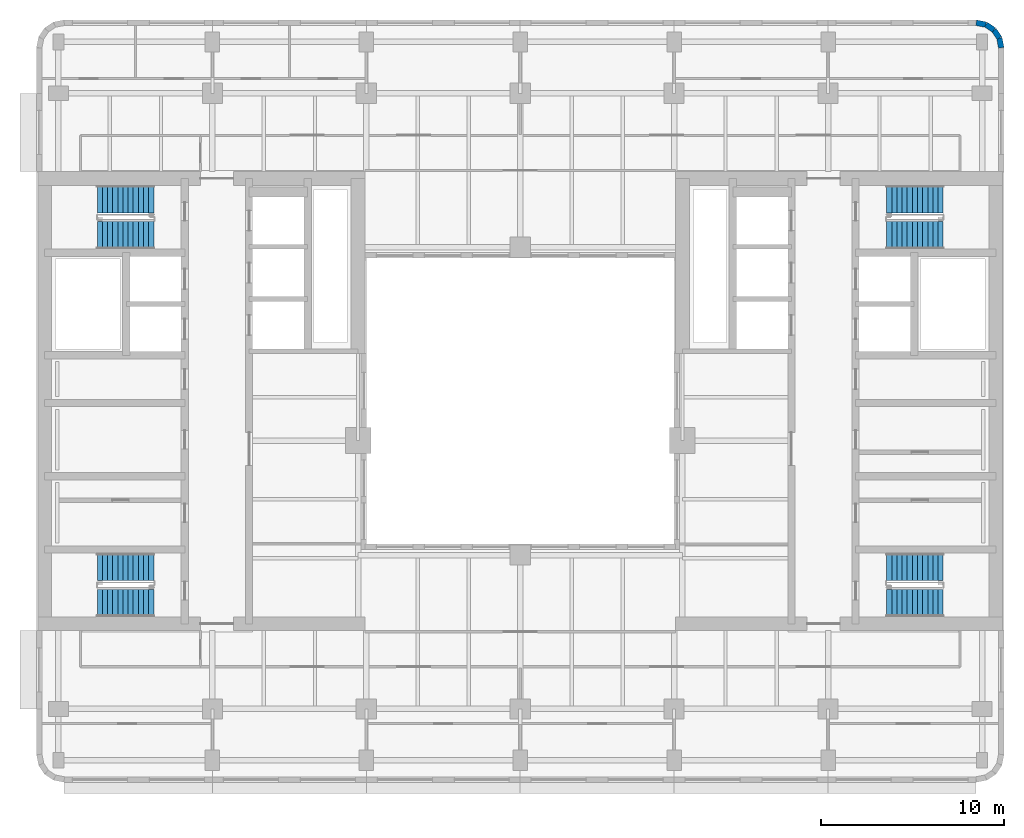
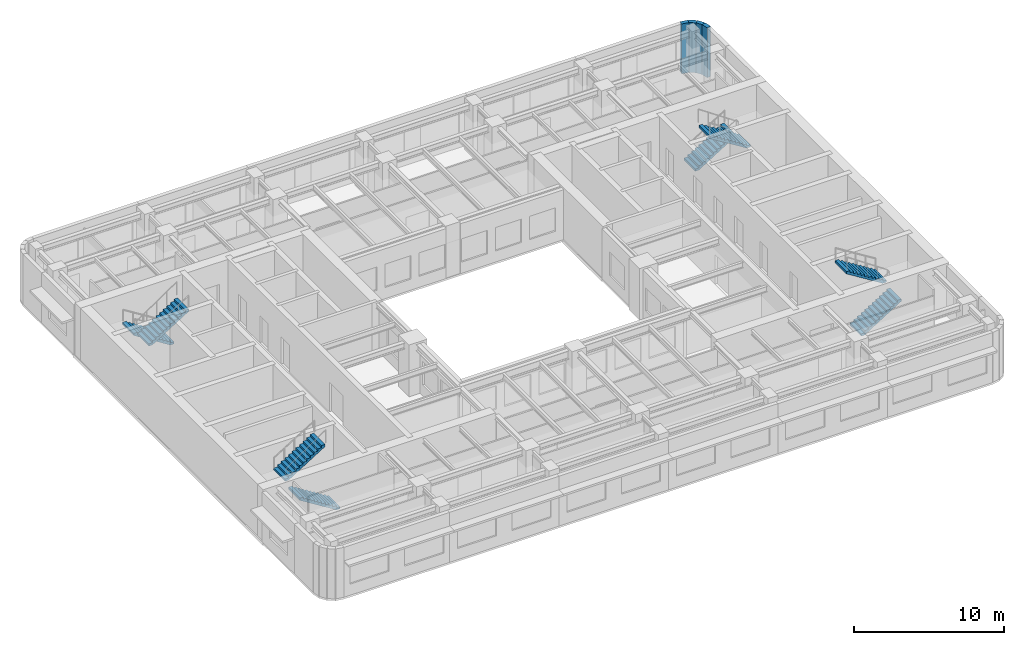
# One storey, part 8 of 11: 8 stair flights, 4 walls, 4 elements without a shape of their own.
"""IFC4 building model written with IfcOpenShell, lengths in metres."""

from ifc_helpers import new_model, si_unit, direction, frame, frame_2d, origin, place, context, subcontext, project, spatial, polyline, rectangle, outline, extrude, material, layer, layer_set, type_object, element, aggregate, save


model = new_model("IFC4")

# Units and contexts
model_context = context("Model", 3, precision=1e-05, world=origin(), true_north=direction((0.0, 1.0)))
body_context = subcontext(model_context, "Body", "Model", "MODEL_VIEW")
ifc_project = project(units=[si_unit("LENGTHUNIT", "METRE"), si_unit("AREAUNIT", "SQUARE_METRE"), si_unit("VOLUMEUNIT", "CUBIC_METRE"), si_unit("PLANEANGLEUNIT", "RADIAN"), si_unit("MASSUNIT", "GRAM", prefix="KILO")], contexts=[model_context])

# Site, building, storey
site_placement = place(None, origin())
site = spatial("IfcSite", under=ifc_project, at=site_placement, CompositionType="ELEMENT")
building_placement = place(site_placement, origin())
building = spatial("IfcBuilding", under=site, at=building_placement, Name="Claustro Exchange Tower", CompositionType="ELEMENT")
storey_placement = place(building_placement, frame((0.0, 0.0, 194.39990234375)))
storey = spatial("IfcBuildingStorey", under=building, at=storey_placement, Name="L44", CompositionType="ELEMENT", Elevation=194.39990234375)

# Walls
ifc_material_1 = material(Name="Concrete HA-40 (C40/50), precast, white cement, acid-etched", Category="concrete")
ifc_layer = layer(ifc_material_1, 0.300048828125)
ifc_layer_set = layer_set([ifc_layer], Name="Concrete HA-40 (C40/50), precast, white cement, acid-etched")
wall_type = type_object("IfcWallType", Name="PC1 300 precast concrete pier panel", PredefinedType="SOLIDWALL", material=ifc_layer_set)
wall_1_placement = place(storey_placement, frame((50.085205078125, 45.85009765625, 0.0), z_axis=(0.0, 0.0, 1.0), x_axis=(0.980702050465, -0.1955082817, 0.0)))
element("IfcWall", 1, at=wall_1_placement, inside=storey, type_object=wall_type, Name="Precast pier panel PC1 L44", PredefinedType="SOLIDWALL", context=body_context, shape_type="SweptSolid", body=[
    extrude(rectangle(XDim=0.540771484375, YDim=0.300048828125, at=frame_2d((0.2705078125, 0.0))), origin(), (0.0, 0.0, 1.0), 4.050048828125),
])
wall_2_placement = place(storey_placement, frame((50.615478515625, 45.744384765625, 0.0), z_axis=(0.0, 0.0, 1.0), x_axis=(0.831692711774, -0.555236195849, 0.0)))
element("IfcWall", 2, at=wall_2_placement, inside=storey, type_object=wall_type, Name="Precast pier panel PC1 L44", PredefinedType="SOLIDWALL", context=body_context, shape_type="SweptSolid", body=[
    extrude(rectangle(XDim=0.525390625, YDim=0.300048828125, at=frame_2d((0.2626953125, 0.0))), origin(), (0.0, 0.0, 1.0), 4.050048828125),
])
wall_3_placement = place(storey_placement, frame((51.052490234375, 45.45263671875, 0.0), z_axis=(0.0, 0.0, 1.0), x_axis=(0.55534295404, -0.831621430339, 0.0)))
element("IfcWall", 3, at=wall_3_placement, inside=storey, type_object=wall_type, Name="Precast pier panel PC1 L44", PredefinedType="SOLIDWALL", context=body_context, shape_type="SweptSolid", body=[
    extrude(rectangle(XDim=0.52587890625, YDim=0.300048828125, at=frame_2d((0.262939453125, 0.0))), origin(), (0.0, 0.0, 1.0), 4.050048828125),
])
wall_4_placement = place(storey_placement, frame((51.344482421875, 45.015380859375, 0.0), z_axis=(0.0, 0.0, 1.0), x_axis=(0.195073962632, -0.980788534345, 0.0)))
element("IfcWall", 4, at=wall_4_placement, inside=storey, type_object=wall_type, Name="Precast pier panel PC1 L44", PredefinedType="SOLIDWALL", context=body_context, shape_type="SweptSolid", body=[
    extrude(rectangle(XDim=0.540771484375, YDim=0.300048828125, at=frame_2d((0.2705078125, 0.0))), origin(), (0.0, 0.0, 1.0), 4.050048828125),
])

# Stair, stair flights
ifc_material_2 = material(Name="Concrete HA-30 (C30/37), precast", Category="concrete")
stair_type = type_object("IfcStairType", Name="ST1 half-turn stair, 24 risers of 175", PredefinedType="HALF_TURN_STAIR", material=ifc_material_2)
stair_1_placement = place(storey_placement, origin())
stair_1 = element("IfcStair", 5, at=stair_1_placement, inside=storey, type_object=stair_type, Name="Stair STWA L44", PredefinedType="HALF_TURN_STAIR")
ifc_material_3 = material(Name="Concrete HA-30 (C30/37), precast", Category="concrete")
stair_flight_type = type_object("IfcStairFlightType", Name="SF12A straight flight, 12 risers of 175, 1500 wide", PredefinedType="STRAIGHT", material=ifc_material_3)
stair_flight_1_placement = place(storey_placement, frame((5.199951171875, 14.175048828125, 0.0), z_axis=(0.0, 0.0, 1.0), x_axis=(-1.0, 0.0, 0.0)))
stair_flight_1 = element("IfcStairFlight", 6, at=stair_flight_1_placement, type_object=stair_flight_type, Name="STWA flight 1", NumberOfRisers=12, NumberOfTreads=11, PredefinedType="STRAIGHT", RiserHeight=0.175, TreadLength=0.28, context=body_context, shape_type="SweptSolid", body=[
    extrude(outline(polyline([(0.0, 0.0), (0.0, 0.175048828125), (0.280029296875, 0.175048828125), (0.280029296875, 0.35009765625), (0.56005859375, 0.35009765625), (0.56005859375, 0.52490234375), (0.840087890625, 0.52490234375), (0.840087890625, 0.699951171875), (1.1201171875, 0.699951171875), (1.1201171875, 0.875), (1.39990234375, 0.875), (1.39990234375, 1.050048828125), (1.679931640625, 1.050048828125), (1.679931640625, 1.22509765625), (1.9599609375, 1.22509765625), (1.9599609375, 1.39990234375), (2.239990234375, 1.39990234375), (2.239990234375, 1.574951171875), (2.52001953125, 1.574951171875), (2.52001953125, 1.75), (2.800048828125, 1.75), (2.800048828125, 1.925048828125), (3.080078125, 1.925048828125), (3.080078125, 2.10009765625), (3.080078125, 1.748291015625), (0.28271484375, 0.0), (0.0, 0.0)])), frame((0.0, 0.75, 0.0), z_axis=(0.0, -1.0, 0.0), x_axis=(1.0, 0.0, 0.0)), (0.0, 0.0, 1.0), 1.5),
])
stair_flight_2_placement = place(storey_placement, frame((2.1201171875, 16.14990234375, 2.10009765625), z_axis=(0.0, 0.0, 1.0), x_axis=(1.0, 0.0, 0.0)))
stair_flight_2 = element("IfcStairFlight", 7, at=stair_flight_2_placement, type_object=stair_flight_type, Name="STWA flight 2", NumberOfRisers=12, NumberOfTreads=11, PredefinedType="STRAIGHT", RiserHeight=0.175, TreadLength=0.28, context=body_context, shape_type="SweptSolid", body=[
    extrude(outline(polyline([(0.0, 0.0), (0.0, 0.175048828125), (0.280029296875, 0.175048828125), (0.280029296875, 0.35009765625), (0.56005859375, 0.35009765625), (0.56005859375, 0.52490234375), (0.840087890625, 0.52490234375), (0.840087890625, 0.699951171875), (1.1201171875, 0.699951171875), (1.1201171875, 0.875), (1.39990234375, 0.875), (1.39990234375, 1.050048828125), (1.679931640625, 1.050048828125), (1.679931640625, 1.22509765625), (1.9599609375, 1.22509765625), (1.9599609375, 1.39990234375), (2.239990234375, 1.39990234375), (2.239990234375, 1.574951171875), (2.52001953125, 1.574951171875), (2.52001953125, 1.75), (2.800048828125, 1.75), (2.800048828125, 1.925048828125), (3.080078125, 1.925048828125), (3.080078125, 2.10009765625), (3.080078125, 1.748291015625), (0.28271484375, 0.0), (0.0, 0.0)])), frame((0.0, 0.75, 0.0), z_axis=(0.0, -1.0, 0.0), x_axis=(1.0, 0.0, 0.0)), (0.0, 0.0, 1.0), 1.5),
])
aggregate(stair_1, [stair_flight_1, stair_flight_2])

stair_2_placement = place(storey_placement, origin())
stair_2 = element("IfcStair", 8, at=stair_2_placement, inside=storey, type_object=stair_type, Name="Stair STWB L44", PredefinedType="HALF_TURN_STAIR")
stair_flight_3_placement = place(storey_placement, frame((5.199951171875, 36.22509765625, 0.0), z_axis=(0.0, 0.0, 1.0), x_axis=(-1.0, 0.0, 0.0)))
stair_flight_3 = element("IfcStairFlight", 9, at=stair_flight_3_placement, type_object=stair_flight_type, Name="STWB flight 1", NumberOfRisers=12, NumberOfTreads=11, PredefinedType="STRAIGHT", RiserHeight=0.175, TreadLength=0.28, context=body_context, shape_type="SweptSolid", body=[
    extrude(outline(polyline([(0.0, 0.0), (0.0, 0.175048828125), (0.280029296875, 0.175048828125), (0.280029296875, 0.35009765625), (0.56005859375, 0.35009765625), (0.56005859375, 0.52490234375), (0.840087890625, 0.52490234375), (0.840087890625, 0.699951171875), (1.1201171875, 0.699951171875), (1.1201171875, 0.875), (1.39990234375, 0.875), (1.39990234375, 1.050048828125), (1.679931640625, 1.050048828125), (1.679931640625, 1.22509765625), (1.9599609375, 1.22509765625), (1.9599609375, 1.39990234375), (2.239990234375, 1.39990234375), (2.239990234375, 1.574951171875), (2.52001953125, 1.574951171875), (2.52001953125, 1.75), (2.800048828125, 1.75), (2.800048828125, 1.925048828125), (3.080078125, 1.925048828125), (3.080078125, 2.10009765625), (3.080078125, 1.748291015625), (0.28271484375, 0.0), (0.0, 0.0)])), frame((0.0, 0.75, 0.0), z_axis=(0.0, -1.0, 0.0), x_axis=(1.0, 0.0, 0.0)), (0.0, 0.0, 1.0), 1.5),
])
stair_flight_4_placement = place(storey_placement, frame((2.1201171875, 34.25, 2.10009765625), z_axis=(0.0, 0.0, 1.0), x_axis=(1.0, 0.0, 0.0)))
stair_flight_4 = element("IfcStairFlight", 10, at=stair_flight_4_placement, type_object=stair_flight_type, Name="STWB flight 2", NumberOfRisers=12, NumberOfTreads=11, PredefinedType="STRAIGHT", RiserHeight=0.175, TreadLength=0.28, context=body_context, shape_type="SweptSolid", body=[
    extrude(outline(polyline([(0.0, 0.0), (0.0, 0.175048828125), (0.280029296875, 0.175048828125), (0.280029296875, 0.35009765625), (0.56005859375, 0.35009765625), (0.56005859375, 0.52490234375), (0.840087890625, 0.52490234375), (0.840087890625, 0.699951171875), (1.1201171875, 0.699951171875), (1.1201171875, 0.875), (1.39990234375, 0.875), (1.39990234375, 1.050048828125), (1.679931640625, 1.050048828125), (1.679931640625, 1.22509765625), (1.9599609375, 1.22509765625), (1.9599609375, 1.39990234375), (2.239990234375, 1.39990234375), (2.239990234375, 1.574951171875), (2.52001953125, 1.574951171875), (2.52001953125, 1.75), (2.800048828125, 1.75), (2.800048828125, 1.925048828125), (3.080078125, 1.925048828125), (3.080078125, 2.10009765625), (3.080078125, 1.748291015625), (0.28271484375, 0.0), (0.0, 0.0)])), frame((0.0, 0.75, 0.0), z_axis=(0.0, -1.0, 0.0), x_axis=(1.0, 0.0, 0.0)), (0.0, 0.0, 1.0), 1.5),
])
aggregate(stair_2, [stair_flight_3, stair_flight_4])

stair_3_placement = place(storey_placement, origin())
stair_3 = element("IfcStair", 11, at=stair_3_placement, inside=storey, type_object=stair_type, Name="Stair STEA L44", PredefinedType="HALF_TURN_STAIR")
stair_flight_5_placement = place(storey_placement, frame((45.199951171875, 14.175048828125, 0.0), z_axis=(0.0, 0.0, 1.0), x_axis=(1.0, 0.0, 0.0)))
stair_flight_5 = element("IfcStairFlight", 12, at=stair_flight_5_placement, type_object=stair_flight_type, Name="STEA flight 1", NumberOfRisers=12, NumberOfTreads=11, PredefinedType="STRAIGHT", RiserHeight=0.175, TreadLength=0.28, context=body_context, shape_type="SweptSolid", body=[
    extrude(outline(polyline([(0.0, 0.0), (0.0, 0.175048828125), (0.280029296875, 0.175048828125), (0.280029296875, 0.35009765625), (0.56005859375, 0.35009765625), (0.56005859375, 0.52490234375), (0.840087890625, 0.52490234375), (0.840087890625, 0.699951171875), (1.1201171875, 0.699951171875), (1.1201171875, 0.875), (1.39990234375, 0.875), (1.39990234375, 1.050048828125), (1.679931640625, 1.050048828125), (1.679931640625, 1.22509765625), (1.9599609375, 1.22509765625), (1.9599609375, 1.39990234375), (2.239990234375, 1.39990234375), (2.239990234375, 1.574951171875), (2.52001953125, 1.574951171875), (2.52001953125, 1.75), (2.800048828125, 1.75), (2.800048828125, 1.925048828125), (3.080078125, 1.925048828125), (3.080078125, 2.10009765625), (3.080078125, 1.748291015625), (0.28271484375, 0.0), (0.0, 0.0)])), frame((0.0, 0.75, 0.0), z_axis=(0.0, -1.0, 0.0), x_axis=(1.0, 0.0, 0.0)), (0.0, 0.0, 1.0), 1.5),
])
stair_flight_6_placement = place(storey_placement, frame((48.280029296875, 16.14990234375, 2.10009765625), z_axis=(0.0, 0.0, 1.0), x_axis=(-1.0, 0.0, 0.0)))
stair_flight_6 = element("IfcStairFlight", 13, at=stair_flight_6_placement, type_object=stair_flight_type, Name="STEA flight 2", NumberOfRisers=12, NumberOfTreads=11, PredefinedType="STRAIGHT", RiserHeight=0.175, TreadLength=0.28, context=body_context, shape_type="SweptSolid", body=[
    extrude(outline(polyline([(0.0, 0.0), (0.0, 0.175048828125), (0.280029296875, 0.175048828125), (0.280029296875, 0.35009765625), (0.56005859375, 0.35009765625), (0.56005859375, 0.52490234375), (0.840087890625, 0.52490234375), (0.840087890625, 0.699951171875), (1.1201171875, 0.699951171875), (1.1201171875, 0.875), (1.39990234375, 0.875), (1.39990234375, 1.050048828125), (1.679931640625, 1.050048828125), (1.679931640625, 1.22509765625), (1.9599609375, 1.22509765625), (1.9599609375, 1.39990234375), (2.239990234375, 1.39990234375), (2.239990234375, 1.574951171875), (2.52001953125, 1.574951171875), (2.52001953125, 1.75), (2.800048828125, 1.75), (2.800048828125, 1.925048828125), (3.080078125, 1.925048828125), (3.080078125, 2.10009765625), (3.080078125, 1.748291015625), (0.28271484375, 0.0), (0.0, 0.0)])), frame((0.0, 0.75, 0.0), z_axis=(0.0, -1.0, 0.0), x_axis=(1.0, 0.0, 0.0)), (0.0, 0.0, 1.0), 1.5),
])
aggregate(stair_3, [stair_flight_5, stair_flight_6])

stair_4_placement = place(storey_placement, origin())
stair_4 = element("IfcStair", 14, at=stair_4_placement, inside=storey, type_object=stair_type, Name="Stair STEB L44", PredefinedType="HALF_TURN_STAIR")
stair_flight_7_placement = place(storey_placement, frame((45.199951171875, 36.22509765625, 0.0), z_axis=(0.0, 0.0, 1.0), x_axis=(1.0, 0.0, 0.0)))
stair_flight_7 = element("IfcStairFlight", 15, at=stair_flight_7_placement, type_object=stair_flight_type, Name="STEB flight 1", NumberOfRisers=12, NumberOfTreads=11, PredefinedType="STRAIGHT", RiserHeight=0.175, TreadLength=0.28, context=body_context, shape_type="SweptSolid", body=[
    extrude(outline(polyline([(0.0, 0.0), (0.0, 0.175048828125), (0.280029296875, 0.175048828125), (0.280029296875, 0.35009765625), (0.56005859375, 0.35009765625), (0.56005859375, 0.52490234375), (0.840087890625, 0.52490234375), (0.840087890625, 0.699951171875), (1.1201171875, 0.699951171875), (1.1201171875, 0.875), (1.39990234375, 0.875), (1.39990234375, 1.050048828125), (1.679931640625, 1.050048828125), (1.679931640625, 1.22509765625), (1.9599609375, 1.22509765625), (1.9599609375, 1.39990234375), (2.239990234375, 1.39990234375), (2.239990234375, 1.574951171875), (2.52001953125, 1.574951171875), (2.52001953125, 1.75), (2.800048828125, 1.75), (2.800048828125, 1.925048828125), (3.080078125, 1.925048828125), (3.080078125, 2.10009765625), (3.080078125, 1.748291015625), (0.28271484375, 0.0), (0.0, 0.0)])), frame((0.0, 0.75, 0.0), z_axis=(0.0, -1.0, 0.0), x_axis=(1.0, 0.0, 0.0)), (0.0, 0.0, 1.0), 1.5),
])
stair_flight_8_placement = place(storey_placement, frame((48.280029296875, 34.25, 2.10009765625), z_axis=(0.0, 0.0, 1.0), x_axis=(-1.0, 0.0, 0.0)))
stair_flight_8 = element("IfcStairFlight", 16, at=stair_flight_8_placement, type_object=stair_flight_type, Name="STEB flight 2", NumberOfRisers=12, NumberOfTreads=11, PredefinedType="STRAIGHT", RiserHeight=0.175, TreadLength=0.28, context=body_context, shape_type="SweptSolid", body=[
    extrude(outline(polyline([(0.0, 0.0), (0.0, 0.175048828125), (0.280029296875, 0.175048828125), (0.280029296875, 0.35009765625), (0.56005859375, 0.35009765625), (0.56005859375, 0.52490234375), (0.840087890625, 0.52490234375), (0.840087890625, 0.699951171875), (1.1201171875, 0.699951171875), (1.1201171875, 0.875), (1.39990234375, 0.875), (1.39990234375, 1.050048828125), (1.679931640625, 1.050048828125), (1.679931640625, 1.22509765625), (1.9599609375, 1.22509765625), (1.9599609375, 1.39990234375), (2.239990234375, 1.39990234375), (2.239990234375, 1.574951171875), (2.52001953125, 1.574951171875), (2.52001953125, 1.75), (2.800048828125, 1.75), (2.800048828125, 1.925048828125), (3.080078125, 1.925048828125), (3.080078125, 2.10009765625), (3.080078125, 1.748291015625), (0.28271484375, 0.0), (0.0, 0.0)])), frame((0.0, 0.75, 0.0), z_axis=(0.0, -1.0, 0.0), x_axis=(1.0, 0.0, 0.0)), (0.0, 0.0, 1.0), 1.5),
])
aggregate(stair_4, [stair_flight_7, stair_flight_8])

save(model, "model.ifc")
